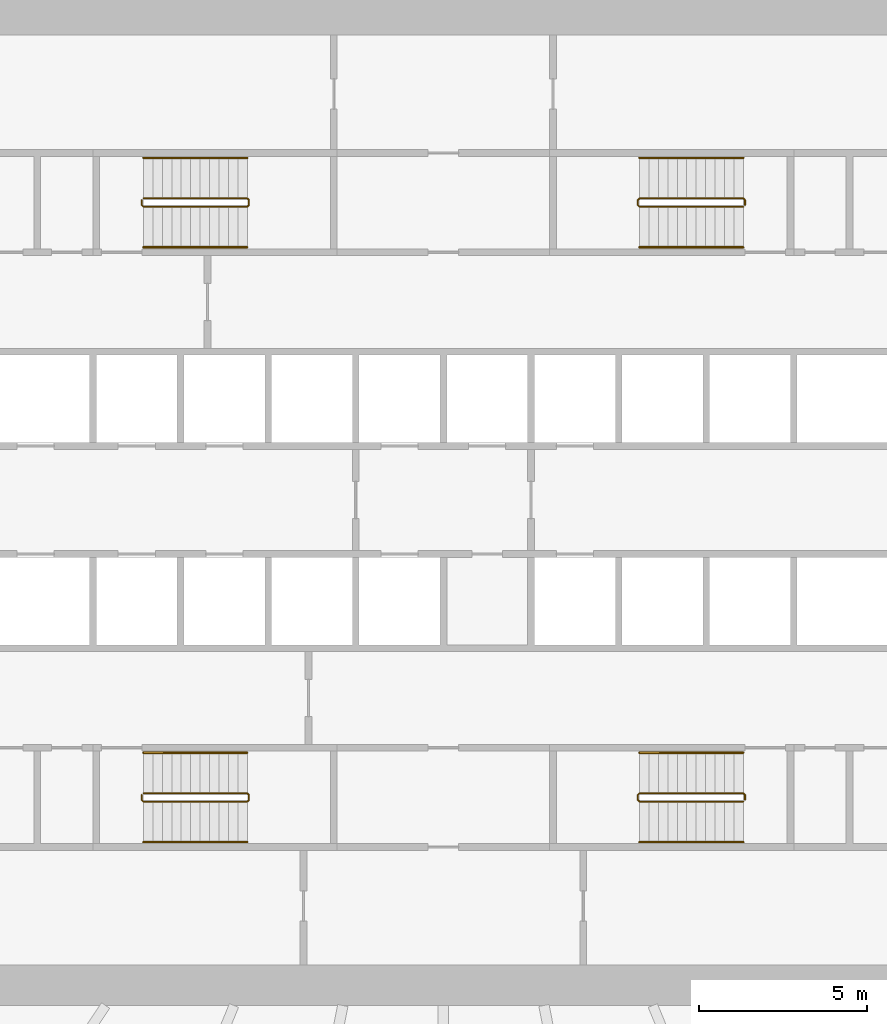
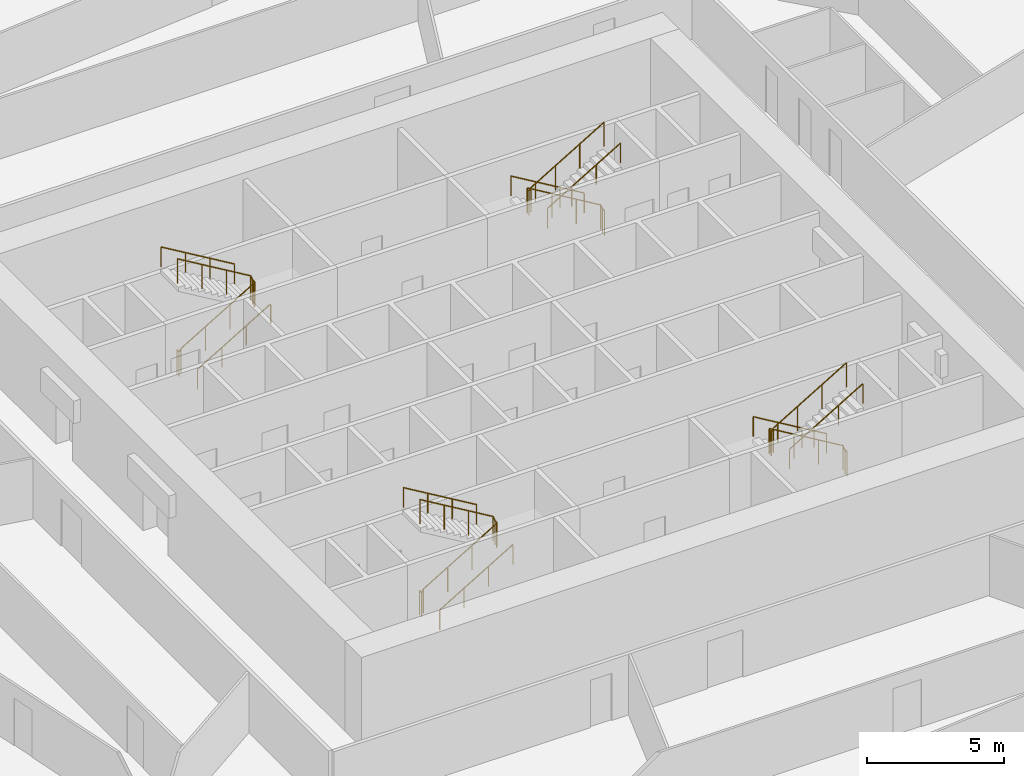
# One storey, part 14 of 14: 12 railings.
"""IFC4 building model written with IfcOpenShell, lengths in metres."""

from ifc_helpers import new_model, si_unit, direction, frame, origin, origin_2d, place, context, subcontext, project, spatial, circle, extrude, material, type_object, element, save


model = new_model("IFC4")

# Units and contexts
model_context = context("Model", 3, precision=1e-05, world=origin(), true_north=direction((0.0, 1.0)))
body_context = subcontext(model_context, "Body", "Model", "MODEL_VIEW")
ifc_project = project(units=[si_unit("LENGTHUNIT", "METRE"), si_unit("AREAUNIT", "SQUARE_METRE"), si_unit("VOLUMEUNIT", "CUBIC_METRE"), si_unit("PLANEANGLEUNIT", "RADIAN"), si_unit("MASSUNIT", "GRAM", prefix="KILO")], contexts=[model_context])

# Site, building, storey
site_placement = place(None, origin())
site = spatial("IfcSite", under=ifc_project, at=site_placement, CompositionType="ELEMENT")
building_placement = place(site_placement, origin())
building = spatial("IfcBuilding", under=site, at=building_placement, Name="Corvane Civic Tower", CompositionType="ELEMENT")
storey_placement = place(building_placement, frame((0.0, 0.0, 49.0)))
storey = spatial("IfcBuildingStorey", under=building, at=storey_placement, Name="L10", CompositionType="ELEMENT", Elevation=49.0)

# Railings
ifc_material_1 = material(Name="Steel ASTM A572 Gr 50", Category="steel")
railing_type_1 = type_object("IfcRailingType", Name="ST-GUARD-1100", PredefinedType="GUARDRAIL", material=ifc_material_1)
railing_1_placement = place(storey_placement, frame((8.949951171875, 8.75, 0.0)))
element("IfcRailing", 1, at=railing_1_placement, inside=storey, type_object=railing_type_1, Name="L10 ST1 stair guard 1", PredefinedType="GUARDRAIL", context=body_context, shape_type="SweptSolid", body=[
    extrude(circle(Radius=0.02392578125, at=origin_2d()), frame((0.0, 0.0, 1.076171875), z_axis=(0.0, 1.0, 0.0), x_axis=(-1.0, 0.0, 0.0)), (0.0, 0.0, 1.0), 0.14990234375),
    extrude(circle(Radius=0.02392578125, at=origin_2d()), frame((0.0, 0.14990234375, 1.076171875), z_axis=(-0.27628659633, 0.27628659633, 0.920506074601), x_axis=(-0.707106781187, -0.707106781187, 0.0)), (0.0, 0.0, 1.0), 0.18115234375),
    extrude(circle(Radius=0.02392578125, at=origin_2d()), frame((-0.050048828125, 0.199951171875, 1.24267578125), z_axis=(-0.859290745958, 0.0, 0.51148745235), x_axis=(0.0, -1.0, 0.0)), (0.0, 0.0, 1.0), 3.584228515625),
    extrude(circle(Radius=0.02392578125, at=origin_2d()), frame((-3.1298828125, 0.199951171875, 3.076171875), z_axis=(-0.707106781187, -0.707106781187, 0.0), x_axis=(0.707106781187, -0.707106781187, 0.0)), (0.0, 0.0, 1.0), 0.07080078125),
    extrude(circle(Radius=0.02392578125, at=origin_2d()), frame((-3.179931640625, 0.14990234375, 3.076171875), z_axis=(0.0, -1.0, 0.0), x_axis=(1.0, 0.0, 0.0)), (0.0, 0.0, 1.0), 0.14990234375),
    extrude(circle(Radius=0.02392578125, at=origin_2d()), frame((-3.179931640625, 0.0, 3.076171875), z_axis=(0.27628659633, -0.27628659633, 0.920506074601), x_axis=(0.707106781187, 0.707106781187, 0.0)), (0.0, 0.0, 1.0), 0.18115234375),
    extrude(circle(Radius=0.02392578125, at=origin_2d()), frame((-3.1298828125, -0.050048828125, 3.24267578125), z_axis=(0.859290745958, 0.0, 0.51148745235), x_axis=(0.0, 1.0, 0.0)), (0.0, 0.0, 1.0), 3.584228515625),
    extrude(circle(Radius=0.02099609375, at=origin_2d()), origin(), (0.0, 0.0, 1.0), 1.052001953125),
    extrude(circle(Radius=0.02099609375, at=origin_2d()), frame((0.0, 0.14990234375, 0.0)), (0.0, 0.0, 1.0), 1.052001953125),
    extrude(circle(Radius=0.02099609375, at=origin_2d()), frame((-0.050048828125, 0.199951171875, 0.166748046875)), (0.0, 0.0, 1.0), 1.052001953125),
    extrude(circle(Radius=0.02099609375, at=origin_2d()), frame((-1.07666015625, 0.199951171875, 0.77783203125)), (0.0, 0.0, 1.0), 1.052001953125),
    extrude(circle(Radius=0.02099609375, at=origin_2d()), frame((-2.103271484375, 0.199951171875, 1.388916015625)), (0.0, 0.0, 1.0), 1.052001953125),
    extrude(circle(Radius=0.02099609375, at=origin_2d()), frame((-3.1298828125, 0.199951171875, 2.0)), (0.0, 0.0, 1.0), 1.052001953125),
    extrude(circle(Radius=0.02099609375, at=origin_2d()), frame((-3.179931640625, 0.14990234375, 2.0)), (0.0, 0.0, 1.0), 1.052001953125),
    extrude(circle(Radius=0.02099609375, at=origin_2d()), frame((-3.179931640625, 0.0, 2.0)), (0.0, 0.0, 1.0), 1.052001953125),
    extrude(circle(Radius=0.02099609375, at=origin_2d()), frame((-3.1298828125, -0.050048828125, 2.166748046875)), (0.0, 0.0, 1.0), 1.052001953125),
    extrude(circle(Radius=0.02099609375, at=origin_2d()), frame((-2.103271484375, -0.050048828125, 2.77783203125)), (0.0, 0.0, 1.0), 1.052001953125),
    extrude(circle(Radius=0.02099609375, at=origin_2d()), frame((-1.07666015625, -0.050048828125, 3.388916015625)), (0.0, 0.0, 1.0), 1.052001953125),
    extrude(circle(Radius=0.02099609375, at=origin_2d()), frame((-0.050048828125, -0.050048828125, 4.0)), (0.0, 0.0, 1.0), 1.052001953125),
])
railing_2_placement = place(storey_placement, frame((8.949951171875, -8.89990234375, 0.0)))
element("IfcRailing", 2, at=railing_2_placement, inside=storey, type_object=railing_type_1, Name="L10 ST2 stair guard 1", PredefinedType="GUARDRAIL", context=body_context, shape_type="SweptSolid", body=[
    extrude(circle(Radius=0.02392578125, at=origin_2d()), frame((0.0, 0.0, 1.076171875), z_axis=(0.0, 1.0, 0.0), x_axis=(-1.0, 0.0, 0.0)), (0.0, 0.0, 1.0), 0.14990234375),
    extrude(circle(Radius=0.02392578125, at=origin_2d()), frame((0.0, 0.14990234375, 1.076171875), z_axis=(-0.27628659633, 0.27628659633, 0.920506074601), x_axis=(-0.707106781187, -0.707106781187, 0.0)), (0.0, 0.0, 1.0), 0.18115234375),
    extrude(circle(Radius=0.02392578125, at=origin_2d()), frame((-0.050048828125, 0.199951171875, 1.24267578125), z_axis=(-0.859290745958, 0.0, 0.51148745235), x_axis=(0.0, -1.0, 0.0)), (0.0, 0.0, 1.0), 3.584228515625),
    extrude(circle(Radius=0.02392578125, at=origin_2d()), frame((-3.1298828125, 0.199951171875, 3.076171875), z_axis=(-0.707106781187, -0.707106781187, 0.0), x_axis=(0.707106781187, -0.707106781187, 0.0)), (0.0, 0.0, 1.0), 0.07080078125),
    extrude(circle(Radius=0.02392578125, at=origin_2d()), frame((-3.179931640625, 0.14990234375, 3.076171875), z_axis=(0.0, -1.0, 0.0), x_axis=(1.0, 0.0, 0.0)), (0.0, 0.0, 1.0), 0.14990234375),
    extrude(circle(Radius=0.02392578125, at=origin_2d()), frame((-3.179931640625, 0.0, 3.076171875), z_axis=(0.27628659633, -0.27628659633, 0.920506074601), x_axis=(0.707106781187, 0.707106781187, 0.0)), (0.0, 0.0, 1.0), 0.18115234375),
    extrude(circle(Radius=0.02392578125, at=origin_2d()), frame((-3.1298828125, -0.050048828125, 3.24267578125), z_axis=(0.859290745958, 0.0, 0.51148745235), x_axis=(0.0, 1.0, 0.0)), (0.0, 0.0, 1.0), 3.584228515625),
    extrude(circle(Radius=0.02099609375, at=origin_2d()), origin(), (0.0, 0.0, 1.0), 1.052001953125),
    extrude(circle(Radius=0.02099609375, at=origin_2d()), frame((0.0, 0.14990234375, 0.0)), (0.0, 0.0, 1.0), 1.052001953125),
    extrude(circle(Radius=0.02099609375, at=origin_2d()), frame((-0.050048828125, 0.199951171875, 0.166748046875)), (0.0, 0.0, 1.0), 1.052001953125),
    extrude(circle(Radius=0.02099609375, at=origin_2d()), frame((-1.07666015625, 0.199951171875, 0.77783203125)), (0.0, 0.0, 1.0), 1.052001953125),
    extrude(circle(Radius=0.02099609375, at=origin_2d()), frame((-2.103271484375, 0.199951171875, 1.388916015625)), (0.0, 0.0, 1.0), 1.052001953125),
    extrude(circle(Radius=0.02099609375, at=origin_2d()), frame((-3.1298828125, 0.199951171875, 2.0)), (0.0, 0.0, 1.0), 1.052001953125),
    extrude(circle(Radius=0.02099609375, at=origin_2d()), frame((-3.179931640625, 0.14990234375, 2.0)), (0.0, 0.0, 1.0), 1.052001953125),
    extrude(circle(Radius=0.02099609375, at=origin_2d()), frame((-3.179931640625, 0.0, 2.0)), (0.0, 0.0, 1.0), 1.052001953125),
    extrude(circle(Radius=0.02099609375, at=origin_2d()), frame((-3.1298828125, -0.050048828125, 2.166748046875)), (0.0, 0.0, 1.0), 1.052001953125),
    extrude(circle(Radius=0.02099609375, at=origin_2d()), frame((-2.103271484375, -0.050048828125, 2.77783203125)), (0.0, 0.0, 1.0), 1.052001953125),
    extrude(circle(Radius=0.02099609375, at=origin_2d()), frame((-1.07666015625, -0.050048828125, 3.388916015625)), (0.0, 0.0, 1.0), 1.052001953125),
    extrude(circle(Radius=0.02099609375, at=origin_2d()), frame((-0.050048828125, -0.050048828125, 4.0)), (0.0, 0.0, 1.0), 1.052001953125),
])
railing_3_placement = place(storey_placement, frame((-8.949951171875, -8.75, 0.0)))
element("IfcRailing", 3, at=railing_3_placement, inside=storey, type_object=railing_type_1, Name="L10 ST3 stair guard 1", PredefinedType="GUARDRAIL", context=body_context, shape_type="SweptSolid", body=[
    extrude(circle(Radius=0.02392578125, at=origin_2d()), frame((0.0, 0.0, 1.076171875), z_axis=(0.0, -1.0, 0.0), x_axis=(1.0, 0.0, 0.0)), (0.0, 0.0, 1.0), 0.14990234375),
    extrude(circle(Radius=0.02392578125, at=origin_2d()), frame((0.0, -0.14990234375, 1.076171875), z_axis=(0.27628659633, -0.27628659633, 0.920506074601), x_axis=(0.707106781187, 0.707106781187, 0.0)), (0.0, 0.0, 1.0), 0.18115234375),
    extrude(circle(Radius=0.02392578125, at=origin_2d()), frame((0.050048828125, -0.199951171875, 1.24267578125), z_axis=(0.859290745958, 0.0, 0.51148745235), x_axis=(0.0, 1.0, 0.0)), (0.0, 0.0, 1.0), 3.584228515625),
    extrude(circle(Radius=0.02392578125, at=origin_2d()), frame((3.1298828125, -0.199951171875, 3.076171875), z_axis=(0.707106781187, 0.707106781187, 0.0), x_axis=(-0.707106781187, 0.707106781187, 0.0)), (0.0, 0.0, 1.0), 0.07080078125),
    extrude(circle(Radius=0.02392578125, at=origin_2d()), frame((3.179931640625, -0.14990234375, 3.076171875), z_axis=(0.0, 1.0, 0.0), x_axis=(-1.0, 0.0, 0.0)), (0.0, 0.0, 1.0), 0.14990234375),
    extrude(circle(Radius=0.02392578125, at=origin_2d()), frame((3.179931640625, 0.0, 3.076171875), z_axis=(-0.27628659633, 0.27628659633, 0.920506074601), x_axis=(-0.707106781187, -0.707106781187, 0.0)), (0.0, 0.0, 1.0), 0.18115234375),
    extrude(circle(Radius=0.02392578125, at=origin_2d()), frame((3.1298828125, 0.050048828125, 3.24267578125), z_axis=(-0.859290745958, 0.0, 0.51148745235), x_axis=(0.0, -1.0, 0.0)), (0.0, 0.0, 1.0), 3.584228515625),
    extrude(circle(Radius=0.02099609375, at=origin_2d()), origin(), (0.0, 0.0, 1.0), 1.052001953125),
    extrude(circle(Radius=0.02099609375, at=origin_2d()), frame((0.0, -0.14990234375, 0.0)), (0.0, 0.0, 1.0), 1.052001953125),
    extrude(circle(Radius=0.02099609375, at=origin_2d()), frame((0.050048828125, -0.199951171875, 0.166748046875)), (0.0, 0.0, 1.0), 1.052001953125),
    extrude(circle(Radius=0.02099609375, at=origin_2d()), frame((1.07666015625, -0.199951171875, 0.77783203125)), (0.0, 0.0, 1.0), 1.052001953125),
    extrude(circle(Radius=0.02099609375, at=origin_2d()), frame((2.103271484375, -0.199951171875, 1.388916015625)), (0.0, 0.0, 1.0), 1.052001953125),
    extrude(circle(Radius=0.02099609375, at=origin_2d()), frame((3.1298828125, -0.199951171875, 2.0)), (0.0, 0.0, 1.0), 1.052001953125),
    extrude(circle(Radius=0.02099609375, at=origin_2d()), frame((3.179931640625, -0.14990234375, 2.0)), (0.0, 0.0, 1.0), 1.052001953125),
    extrude(circle(Radius=0.02099609375, at=origin_2d()), frame((3.179931640625, 0.0, 2.0)), (0.0, 0.0, 1.0), 1.052001953125),
    extrude(circle(Radius=0.02099609375, at=origin_2d()), frame((3.1298828125, 0.050048828125, 2.166748046875)), (0.0, 0.0, 1.0), 1.052001953125),
    extrude(circle(Radius=0.02099609375, at=origin_2d()), frame((2.103271484375, 0.050048828125, 2.77783203125)), (0.0, 0.0, 1.0), 1.052001953125),
    extrude(circle(Radius=0.02099609375, at=origin_2d()), frame((1.07666015625, 0.050048828125, 3.388916015625)), (0.0, 0.0, 1.0), 1.052001953125),
    extrude(circle(Radius=0.02099609375, at=origin_2d()), frame((0.050048828125, 0.050048828125, 4.0)), (0.0, 0.0, 1.0), 1.052001953125),
])
railing_4_placement = place(storey_placement, frame((-8.949951171875, 8.89990234375, 0.0)))
element("IfcRailing", 4, at=railing_4_placement, inside=storey, type_object=railing_type_1, Name="L10 ST4 stair guard 1", PredefinedType="GUARDRAIL", context=body_context, shape_type="SweptSolid", body=[
    extrude(circle(Radius=0.02392578125, at=origin_2d()), frame((0.0, 0.0, 1.076171875), z_axis=(0.0, -1.0, 0.0), x_axis=(1.0, 0.0, 0.0)), (0.0, 0.0, 1.0), 0.14990234375),
    extrude(circle(Radius=0.02392578125, at=origin_2d()), frame((0.0, -0.14990234375, 1.076171875), z_axis=(0.27628659633, -0.27628659633, 0.920506074601), x_axis=(0.707106781187, 0.707106781187, 0.0)), (0.0, 0.0, 1.0), 0.18115234375),
    extrude(circle(Radius=0.02392578125, at=origin_2d()), frame((0.050048828125, -0.199951171875, 1.24267578125), z_axis=(0.859290745958, 0.0, 0.51148745235), x_axis=(0.0, 1.0, 0.0)), (0.0, 0.0, 1.0), 3.584228515625),
    extrude(circle(Radius=0.02392578125, at=origin_2d()), frame((3.1298828125, -0.199951171875, 3.076171875), z_axis=(0.707106781187, 0.707106781187, 0.0), x_axis=(-0.707106781187, 0.707106781187, 0.0)), (0.0, 0.0, 1.0), 0.07080078125),
    extrude(circle(Radius=0.02392578125, at=origin_2d()), frame((3.179931640625, -0.14990234375, 3.076171875), z_axis=(0.0, 1.0, 0.0), x_axis=(-1.0, 0.0, 0.0)), (0.0, 0.0, 1.0), 0.14990234375),
    extrude(circle(Radius=0.02392578125, at=origin_2d()), frame((3.179931640625, 0.0, 3.076171875), z_axis=(-0.27628659633, 0.27628659633, 0.920506074601), x_axis=(-0.707106781187, -0.707106781187, 0.0)), (0.0, 0.0, 1.0), 0.18115234375),
    extrude(circle(Radius=0.02392578125, at=origin_2d()), frame((3.1298828125, 0.050048828125, 3.24267578125), z_axis=(-0.859290745958, 0.0, 0.51148745235), x_axis=(0.0, -1.0, 0.0)), (0.0, 0.0, 1.0), 3.584228515625),
    extrude(circle(Radius=0.02099609375, at=origin_2d()), origin(), (0.0, 0.0, 1.0), 1.052001953125),
    extrude(circle(Radius=0.02099609375, at=origin_2d()), frame((0.0, -0.14990234375, 0.0)), (0.0, 0.0, 1.0), 1.052001953125),
    extrude(circle(Radius=0.02099609375, at=origin_2d()), frame((0.050048828125, -0.199951171875, 0.166748046875)), (0.0, 0.0, 1.0), 1.052001953125),
    extrude(circle(Radius=0.02099609375, at=origin_2d()), frame((1.07666015625, -0.199951171875, 0.77783203125)), (0.0, 0.0, 1.0), 1.052001953125),
    extrude(circle(Radius=0.02099609375, at=origin_2d()), frame((2.103271484375, -0.199951171875, 1.388916015625)), (0.0, 0.0, 1.0), 1.052001953125),
    extrude(circle(Radius=0.02099609375, at=origin_2d()), frame((3.1298828125, -0.199951171875, 2.0)), (0.0, 0.0, 1.0), 1.052001953125),
    extrude(circle(Radius=0.02099609375, at=origin_2d()), frame((3.179931640625, -0.14990234375, 2.0)), (0.0, 0.0, 1.0), 1.052001953125),
    extrude(circle(Radius=0.02099609375, at=origin_2d()), frame((3.179931640625, 0.0, 2.0)), (0.0, 0.0, 1.0), 1.052001953125),
    extrude(circle(Radius=0.02099609375, at=origin_2d()), frame((3.1298828125, 0.050048828125, 2.166748046875)), (0.0, 0.0, 1.0), 1.052001953125),
    extrude(circle(Radius=0.02099609375, at=origin_2d()), frame((2.103271484375, 0.050048828125, 2.77783203125)), (0.0, 0.0, 1.0), 1.052001953125),
    extrude(circle(Radius=0.02099609375, at=origin_2d()), frame((1.07666015625, 0.050048828125, 3.388916015625)), (0.0, 0.0, 1.0), 1.052001953125),
    extrude(circle(Radius=0.02099609375, at=origin_2d()), frame((0.050048828125, 0.050048828125, 4.0)), (0.0, 0.0, 1.0), 1.052001953125),
])
ifc_material_2 = material(Name="Steel ASTM A572 Gr 50", Category="steel")
railing_type_2 = type_object("IfcRailingType", Name="ST-HANDRAIL-900", PredefinedType="HANDRAIL", material=ifc_material_2)
railing_5_placement = place(storey_placement, frame((8.89990234375, 10.14990234375, 0.166748046875)))
element("IfcRailing", 5, at=railing_5_placement, inside=storey, type_object=railing_type_2, Name="L10 ST1 stair handrail 1", PredefinedType="HANDRAIL", context=body_context, shape_type="SweptSolid", body=[
    extrude(circle(Radius=0.02392578125, at=origin_2d()), frame((0.0, 0.0, 0.8759765625), z_axis=(-0.859290745958, 0.0, 0.51148745235), x_axis=(0.0, -1.0, 0.0)), (0.0, 0.0, 1.0), 3.584228515625),
    extrude(circle(Radius=0.02099609375, at=origin_2d()), origin(), (0.0, 0.0, 1.0), 0.851806640625),
    extrude(circle(Radius=0.02099609375, at=origin_2d()), frame((-1.026611328125, 0.0, 0.611083984375)), (0.0, 0.0, 1.0), 0.851806640625),
    extrude(circle(Radius=0.02099609375, at=origin_2d()), frame((-2.05322265625, 0.0, 1.22216796875)), (0.0, 0.0, 1.0), 0.851806640625),
    extrude(circle(Radius=0.02099609375, at=origin_2d()), frame((-3.079833984375, 0.0, 1.833251953125)), (0.0, 0.0, 1.0), 0.851806640625),
])
railing_6_placement = place(storey_placement, frame((5.820068359375, 7.5, 2.166748046875)))
element("IfcRailing", 6, at=railing_6_placement, inside=storey, type_object=railing_type_2, Name="L10 ST1 stair handrail 2", PredefinedType="HANDRAIL", context=body_context, shape_type="SweptSolid", body=[
    extrude(circle(Radius=0.02392578125, at=origin_2d()), frame((0.0, 0.0, 0.8759765625), z_axis=(0.859290745958, 0.0, 0.51148745235), x_axis=(0.0, 1.0, 0.0)), (0.0, 0.0, 1.0), 3.584228515625),
    extrude(circle(Radius=0.02099609375, at=origin_2d()), origin(), (0.0, 0.0, 1.0), 0.851806640625),
    extrude(circle(Radius=0.02099609375, at=origin_2d()), frame((1.026611328125, 0.0, 0.611083984375)), (0.0, 0.0, 1.0), 0.851806640625),
    extrude(circle(Radius=0.02099609375, at=origin_2d()), frame((2.05322265625, 0.0, 1.22216796875)), (0.0, 0.0, 1.0), 0.851806640625),
    extrude(circle(Radius=0.02099609375, at=origin_2d()), frame((3.079833984375, 0.0, 1.833251953125)), (0.0, 0.0, 1.0), 0.851806640625),
])
railing_7_placement = place(storey_placement, frame((8.89990234375, -7.5, 0.166748046875)))
element("IfcRailing", 7, at=railing_7_placement, inside=storey, type_object=railing_type_2, Name="L10 ST2 stair handrail 1", PredefinedType="HANDRAIL", context=body_context, shape_type="SweptSolid", body=[
    extrude(circle(Radius=0.02392578125, at=origin_2d()), frame((0.0, 0.0, 0.8759765625), z_axis=(-0.859290745958, 0.0, 0.51148745235), x_axis=(0.0, -1.0, 0.0)), (0.0, 0.0, 1.0), 3.584228515625),
    extrude(circle(Radius=0.02099609375, at=origin_2d()), origin(), (0.0, 0.0, 1.0), 0.851806640625),
    extrude(circle(Radius=0.02099609375, at=origin_2d()), frame((-1.026611328125, 0.0, 0.611083984375)), (0.0, 0.0, 1.0), 0.851806640625),
    extrude(circle(Radius=0.02099609375, at=origin_2d()), frame((-2.05322265625, 0.0, 1.22216796875)), (0.0, 0.0, 1.0), 0.851806640625),
    extrude(circle(Radius=0.02099609375, at=origin_2d()), frame((-3.079833984375, 0.0, 1.833251953125)), (0.0, 0.0, 1.0), 0.851806640625),
])
for number, where, name in (
    (8, (5.820068359375, -10.14990234375, 2.166748046875), "L10 ST2 stair handrail 2"),
    (9, (-8.89990234375, -10.14990234375, 0.166748046875), "L10 ST3 stair handrail 1"),
):
    element("IfcRailing", number, at=place(storey_placement, frame(where)), inside=storey, type_object=railing_type_2, Name=name, PredefinedType="HANDRAIL", context=body_context, shape_type="SweptSolid", body=[
        extrude(circle(Radius=0.02392578125, at=origin_2d()), frame((0.0, 0.0, 0.8759765625), z_axis=(0.859290745958, 0.0, 0.51148745235), x_axis=(0.0, 1.0, 0.0)), (0.0, 0.0, 1.0), 3.584228515625),
        extrude(circle(Radius=0.02099609375, at=origin_2d()), origin(), (0.0, 0.0, 1.0), 0.851806640625),
        extrude(circle(Radius=0.02099609375, at=origin_2d()), frame((1.026611328125, 0.0, 0.611083984375)), (0.0, 0.0, 1.0), 0.851806640625),
        extrude(circle(Radius=0.02099609375, at=origin_2d()), frame((2.05322265625, 0.0, 1.22216796875)), (0.0, 0.0, 1.0), 0.851806640625),
        extrude(circle(Radius=0.02099609375, at=origin_2d()), frame((3.079833984375, 0.0, 1.833251953125)), (0.0, 0.0, 1.0), 0.851806640625),
    ])
railing_8_placement = place(storey_placement, frame((-5.820068359375, -7.5, 2.166748046875)))
element("IfcRailing", 10, at=railing_8_placement, inside=storey, type_object=railing_type_2, Name="L10 ST3 stair handrail 2", PredefinedType="HANDRAIL", context=body_context, shape_type="SweptSolid", body=[
    extrude(circle(Radius=0.02392578125, at=origin_2d()), frame((0.0, 0.0, 0.8759765625), z_axis=(-0.859290745958, 0.0, 0.51148745235), x_axis=(0.0, -1.0, 0.0)), (0.0, 0.0, 1.0), 3.584228515625),
    extrude(circle(Radius=0.02099609375, at=origin_2d()), origin(), (0.0, 0.0, 1.0), 0.851806640625),
    extrude(circle(Radius=0.02099609375, at=origin_2d()), frame((-1.026611328125, 0.0, 0.611083984375)), (0.0, 0.0, 1.0), 0.851806640625),
    extrude(circle(Radius=0.02099609375, at=origin_2d()), frame((-2.05322265625, 0.0, 1.22216796875)), (0.0, 0.0, 1.0), 0.851806640625),
    extrude(circle(Radius=0.02099609375, at=origin_2d()), frame((-3.079833984375, 0.0, 1.833251953125)), (0.0, 0.0, 1.0), 0.851806640625),
])
railing_9_placement = place(storey_placement, frame((-8.89990234375, 7.5, 0.166748046875)))
element("IfcRailing", 11, at=railing_9_placement, inside=storey, type_object=railing_type_2, Name="L10 ST4 stair handrail 1", PredefinedType="HANDRAIL", context=body_context, shape_type="SweptSolid", body=[
    extrude(circle(Radius=0.02392578125, at=origin_2d()), frame((0.0, 0.0, 0.8759765625), z_axis=(0.859290745958, 0.0, 0.51148745235), x_axis=(0.0, 1.0, 0.0)), (0.0, 0.0, 1.0), 3.584228515625),
    extrude(circle(Radius=0.02099609375, at=origin_2d()), origin(), (0.0, 0.0, 1.0), 0.851806640625),
    extrude(circle(Radius=0.02099609375, at=origin_2d()), frame((1.026611328125, 0.0, 0.611083984375)), (0.0, 0.0, 1.0), 0.851806640625),
    extrude(circle(Radius=0.02099609375, at=origin_2d()), frame((2.05322265625, 0.0, 1.22216796875)), (0.0, 0.0, 1.0), 0.851806640625),
    extrude(circle(Radius=0.02099609375, at=origin_2d()), frame((3.079833984375, 0.0, 1.833251953125)), (0.0, 0.0, 1.0), 0.851806640625),
])
railing_10_placement = place(storey_placement, frame((-5.820068359375, 10.14990234375, 2.166748046875)))
element("IfcRailing", 12, at=railing_10_placement, inside=storey, type_object=railing_type_2, Name="L10 ST4 stair handrail 2", PredefinedType="HANDRAIL", context=body_context, shape_type="SweptSolid", body=[
    extrude(circle(Radius=0.02392578125, at=origin_2d()), frame((0.0, 0.0, 0.8759765625), z_axis=(-0.859290745958, 0.0, 0.51148745235), x_axis=(0.0, -1.0, 0.0)), (0.0, 0.0, 1.0), 3.584228515625),
    extrude(circle(Radius=0.02099609375, at=origin_2d()), origin(), (0.0, 0.0, 1.0), 0.851806640625),
    extrude(circle(Radius=0.02099609375, at=origin_2d()), frame((-1.026611328125, 0.0, 0.611083984375)), (0.0, 0.0, 1.0), 0.851806640625),
    extrude(circle(Radius=0.02099609375, at=origin_2d()), frame((-2.05322265625, 0.0, 1.22216796875)), (0.0, 0.0, 1.0), 0.851806640625),
    extrude(circle(Radius=0.02099609375, at=origin_2d()), frame((-3.079833984375, 0.0, 1.833251953125)), (0.0, 0.0, 1.0), 0.851806640625),
])

save(model, "model.ifc")
